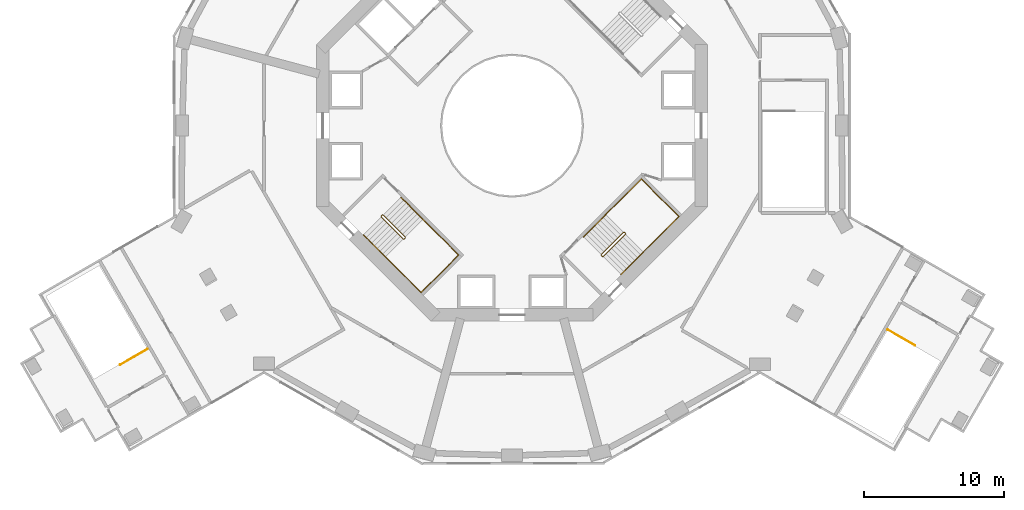
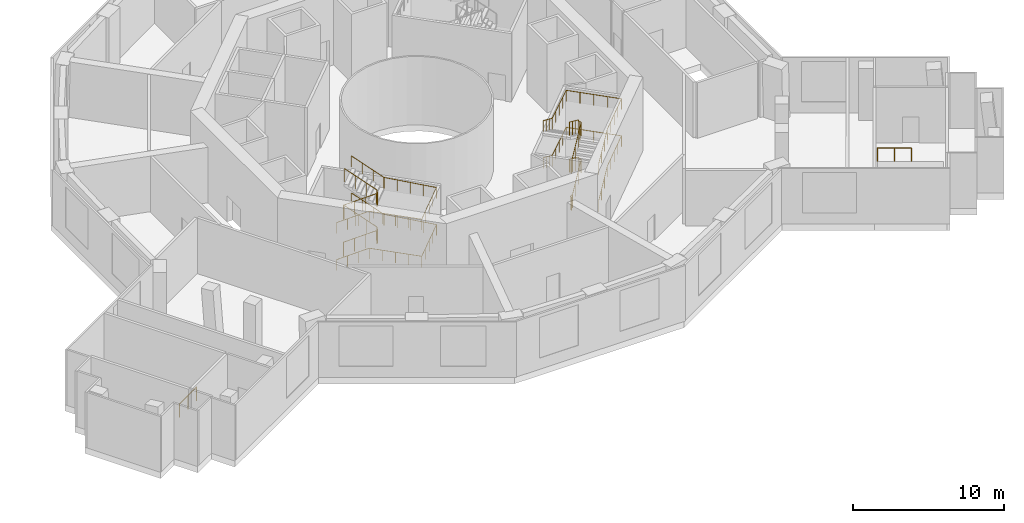
# One storey, part 11 of 12: 8 railings.
"""IFC4 building model written with IfcOpenShell, lengths in metres."""

from ifc_helpers import new_model, si_unit, direction, frame, origin, origin_2d, place, context, subcontext, project, spatial, circle, extrude, material, type_object, element, save


model = new_model("IFC4")

# Units and contexts
model_context = context("Model", 3, precision=1e-05, world=origin(), true_north=direction((0.0, 1.0)))
body_context = subcontext(model_context, "Body", "Model", "MODEL_VIEW")
ifc_project = project(units=[si_unit("LENGTHUNIT", "METRE"), si_unit("AREAUNIT", "SQUARE_METRE"), si_unit("VOLUMEUNIT", "CUBIC_METRE"), si_unit("PLANEANGLEUNIT", "RADIAN"), si_unit("MASSUNIT", "GRAM", prefix="KILO")], contexts=[model_context])

# Site, building, storey
site_placement = place(None, origin())
site = spatial("IfcSite", under=ifc_project, at=site_placement, CompositionType="ELEMENT")
building_placement = place(site_placement, origin())
building = spatial("IfcBuilding", under=site, at=building_placement, Name="Verdalira Terraces Hotel", CompositionType="ELEMENT")
storey_placement = place(building_placement, frame((0.0, 0.0, 28.0)))
storey = spatial("IfcBuildingStorey", under=building, at=storey_placement, Name="L05", CompositionType="ELEMENT", Elevation=28.0)

# Railings
ifc_material_1 = material(Name="Stainless steel", Category="steel")
railing_type_1 = type_object("IfcRailingType", Name="Stair guard 1100", PredefinedType="GUARDRAIL", material=ifc_material_1)
railing_1_placement = place(storey_placement, frame((-9.369141, -6.469971, 0.0)))
element("IfcRailing", 1, at=railing_1_placement, inside=storey, type_object=railing_type_1, Name="L05 ST2 stair guard 1", PredefinedType="GUARDRAIL", context=body_context, shape_type="SweptSolid", body=[
    extrude(circle(Radius=0.023926, at=origin_2d()), frame((0.0, 0.0, 1.076172), z_axis=(0.70832698, 0.705884473, 0.0), x_axis=(-0.705884473, 0.70832698, 0.0)), (0.0, 0.0, 1.0), 0.099854),
    extrude(circle(Radius=0.023926, at=origin_2d()), frame((0.070801, 0.070557, 1.076172), z_axis=(-0.308122069, -0.615181649, 0.725680598), x_axis=(0.894118129, -0.447831187, 0.0)), (0.0, 0.0, 1.0), 0.229736),
    extrude(circle(Radius=0.023926, at=origin_2d()), frame((0.0, -0.070801, 1.242676), z_axis=(0.607628069, -0.607628069, 0.511445266), x_axis=(0.707106781, 0.707106781, 0.0)), (0.0, 0.0, 1.0), 2.606934),
    extrude(circle(Radius=0.023926, at=origin_2d()), frame((1.583984, -1.654785, 2.576172), z_axis=(1.0, 0.0, 0.0), x_axis=(0.0, 1.0, 0.0)), (0.0, 0.0, 1.0), 0.070557),
    extrude(circle(Radius=0.023926, at=origin_2d()), frame((1.654541, -1.654785, 2.576172), z_axis=(0.707106781, 0.707106781, 0.0), x_axis=(-0.707106781, 0.707106781, 0.0)), (0.0, 0.0, 1.0), 0.100098),
    extrude(circle(Radius=0.023926, at=origin_2d()), frame((1.725342, -1.583984, 2.576172), z_axis=(0.0, 0.390826706, 0.920464277), x_axis=(-1.0, 0.0, 0.0)), (0.0, 0.0, 1.0), 0.181152),
    extrude(circle(Radius=0.023926, at=origin_2d()), frame((1.725342, -1.513184, 2.742676), z_axis=(-0.607662647, 0.607568988, 0.511474371), x_axis=(-0.707052281, -0.707161277, 0.0)), (0.0, 0.0, 1.0), 2.606689),
    extrude(circle(Radius=0.023926, at=origin_2d()), frame((0.141357, 0.070557, 4.076172), z_axis=(-1.0, 0.0, 0.0), x_axis=(0.0, -1.0, 0.0)), (0.0, 0.0, 1.0), 0.070557),
    extrude(circle(Radius=0.023926, at=origin_2d()), frame((0.070801, 0.070557, 4.076172), z_axis=(-0.70832698, -0.705884473, 0.0), x_axis=(0.705884473, -0.70832698, 0.0)), (0.0, 0.0, 1.0), 0.099854),
    extrude(circle(Radius=0.023926, at=origin_2d()), frame((0.0, 0.0, 4.076172), z_axis=(0.0, -0.390826706, 0.920464277), x_axis=(1.0, 0.0, 0.0)), (0.0, 0.0, 1.0), 0.181152),
    extrude(circle(Radius=0.023926, at=origin_2d()), frame((0.0, -0.070801, 4.242676), z_axis=(0.607628069, -0.607628069, 0.511445266), x_axis=(0.707106781, 0.707106781, 0.0)), (0.0, 0.0, 1.0), 2.606934),
    extrude(circle(Radius=0.023926, at=origin_2d()), frame((1.583984, -1.654785, 5.576172), z_axis=(1.0, 0.0, 0.0), x_axis=(0.0, 1.0, 0.0)), (0.0, 0.0, 1.0), 0.070557),
    extrude(circle(Radius=0.023926, at=origin_2d()), frame((1.654541, -1.654785, 5.576172), z_axis=(0.707106781, 0.707106781, 0.0), x_axis=(-0.707106781, 0.707106781, 0.0)), (0.0, 0.0, 1.0), 0.100098),
    extrude(circle(Radius=0.023926, at=origin_2d()), frame((1.725342, -1.583984, 5.576172), z_axis=(0.0, 0.390826706, 0.920464277), x_axis=(-1.0, 0.0, 0.0)), (0.0, 0.0, 1.0), 0.181152),
    extrude(circle(Radius=0.023926, at=origin_2d()), frame((1.725342, -1.513184, 5.742676), z_axis=(-0.607662647, 0.607568988, 0.511474371), x_axis=(-0.707052281, -0.707161277, 0.0)), (0.0, 0.0, 1.0), 2.606689),
    extrude(circle(Radius=0.020996, at=origin_2d()), origin(), (0.0, 0.0, 1.0), 1.052002),
    extrude(circle(Radius=0.020996, at=origin_2d()), frame((0.070801, 0.070557, 0.0)), (0.0, 0.0, 1.0), 1.052002),
    extrude(circle(Radius=0.020996, at=origin_2d()), frame((0.0, -0.070801, 0.166748)), (0.0, 0.0, 1.0), 1.052002),
    extrude(circle(Radius=0.020996, at=origin_2d()), frame((0.528076, -0.598877, 0.611084)), (0.0, 0.0, 1.0), 1.052002),
    extrude(circle(Radius=0.020996, at=origin_2d()), frame((1.055908, -1.126709, 1.055664)), (0.0, 0.0, 1.0), 1.052002),
    extrude(circle(Radius=0.020996, at=origin_2d()), frame((1.583984, -1.654785, 1.5)), (0.0, 0.0, 1.0), 1.052002),
    extrude(circle(Radius=0.020996, at=origin_2d()), frame((1.654541, -1.654785, 1.5)), (0.0, 0.0, 1.0), 1.052002),
    extrude(circle(Radius=0.020996, at=origin_2d()), frame((1.725342, -1.583984, 1.5)), (0.0, 0.0, 1.0), 1.052002),
    extrude(circle(Radius=0.020996, at=origin_2d()), frame((1.725342, -1.513184, 1.666748)), (0.0, 0.0, 1.0), 1.052002),
    extrude(circle(Radius=0.020996, at=origin_2d()), frame((1.197266, -0.985352, 2.111084)), (0.0, 0.0, 1.0), 1.052002),
    extrude(circle(Radius=0.020996, at=origin_2d()), frame((0.669434, -0.457275, 2.555664)), (0.0, 0.0, 1.0), 1.052002),
    extrude(circle(Radius=0.020996, at=origin_2d()), frame((0.141357, 0.070557, 3.0)), (0.0, 0.0, 1.0), 1.052002),
    extrude(circle(Radius=0.020996, at=origin_2d()), frame((0.070801, 0.070557, 3.0)), (0.0, 0.0, 1.0), 1.052002),
    extrude(circle(Radius=0.020996, at=origin_2d()), frame((0.0, 0.0, 3.0)), (0.0, 0.0, 1.0), 1.052002),
    extrude(circle(Radius=0.020996, at=origin_2d()), frame((0.0, -0.070801, 3.166748)), (0.0, 0.0, 1.0), 1.052002),
    extrude(circle(Radius=0.020996, at=origin_2d()), frame((0.528076, -0.598877, 3.611084)), (0.0, 0.0, 1.0), 1.052002),
    extrude(circle(Radius=0.020996, at=origin_2d()), frame((1.055908, -1.126709, 4.055664)), (0.0, 0.0, 1.0), 1.052002),
    extrude(circle(Radius=0.020996, at=origin_2d()), frame((1.583984, -1.654785, 4.5)), (0.0, 0.0, 1.0), 1.052002),
    extrude(circle(Radius=0.020996, at=origin_2d()), frame((1.654541, -1.654785, 4.5)), (0.0, 0.0, 1.0), 1.052002),
    extrude(circle(Radius=0.020996, at=origin_2d()), frame((1.725342, -1.583984, 4.5)), (0.0, 0.0, 1.0), 1.052002),
    extrude(circle(Radius=0.020996, at=origin_2d()), frame((1.725342, -1.513184, 4.666748)), (0.0, 0.0, 1.0), 1.052002),
    extrude(circle(Radius=0.020996, at=origin_2d()), frame((1.197266, -0.985352, 5.111084)), (0.0, 0.0, 1.0), 1.052002),
    extrude(circle(Radius=0.020996, at=origin_2d()), frame((0.669434, -0.457275, 5.555664)), (0.0, 0.0, 1.0), 1.052002),
    extrude(circle(Radius=0.020996, at=origin_2d()), frame((0.141357, 0.070557, 6.0)), (0.0, 0.0, 1.0), 1.052002),
])
railing_2_placement = place(storey_placement, frame((6.469971, -9.369141, 0.0)))
element("IfcRailing", 2, at=railing_2_placement, inside=storey, type_object=railing_type_1, Name="L05 ST3 stair guard 1", PredefinedType="GUARDRAIL", context=body_context, shape_type="SweptSolid", body=[
    extrude(circle(Radius=0.023926, at=origin_2d()), frame((0.0, 0.0, 1.076172), z_axis=(-0.705884473, 0.70832698, 0.0), x_axis=(-0.70832698, -0.705884473, 0.0)), (0.0, 0.0, 1.0), 0.099854),
    extrude(circle(Radius=0.023926, at=origin_2d()), frame((-0.070557, 0.070801, 1.076172), z_axis=(0.615181649, -0.308122069, 0.725680598), x_axis=(0.447831187, 0.894118129, 0.0)), (0.0, 0.0, 1.0), 0.229736),
    extrude(circle(Radius=0.023926, at=origin_2d()), frame((0.070801, 0.0, 1.242676), z_axis=(0.607628069, 0.607628069, 0.511445266), x_axis=(-0.707106781, 0.707106781, 0.0)), (0.0, 0.0, 1.0), 2.606934),
    extrude(circle(Radius=0.023926, at=origin_2d()), frame((1.654785, 1.583984, 2.576172), z_axis=(0.0, 1.0, 0.0), x_axis=(-1.0, 0.0, 0.0)), (0.0, 0.0, 1.0), 0.070557),
    extrude(circle(Radius=0.023926, at=origin_2d()), frame((1.654785, 1.654541, 2.576172), z_axis=(-0.707106781, 0.707106781, 0.0), x_axis=(-0.707106781, -0.707106781, 0.0)), (0.0, 0.0, 1.0), 0.100098),
    extrude(circle(Radius=0.023926, at=origin_2d()), frame((1.583984, 1.725342, 2.576172), z_axis=(-0.390826706, 0.0, 0.920464277), x_axis=(0.0, -1.0, 0.0)), (0.0, 0.0, 1.0), 0.181152),
    extrude(circle(Radius=0.023926, at=origin_2d()), frame((1.513184, 1.725342, 2.742676), z_axis=(-0.607568988, -0.607662647, 0.511474371), x_axis=(0.707161277, -0.707052281, 0.0)), (0.0, 0.0, 1.0), 2.606689),
    extrude(circle(Radius=0.023926, at=origin_2d()), frame((-0.070557, 0.141357, 4.076172), z_axis=(0.0, -1.0, 0.0), x_axis=(1.0, 0.0, 0.0)), (0.0, 0.0, 1.0), 0.070557),
    extrude(circle(Radius=0.023926, at=origin_2d()), frame((-0.070557, 0.070801, 4.076172), z_axis=(0.705884473, -0.70832698, 0.0), x_axis=(0.70832698, 0.705884473, 0.0)), (0.0, 0.0, 1.0), 0.099854),
    extrude(circle(Radius=0.023926, at=origin_2d()), frame((0.0, 0.0, 4.076172), z_axis=(0.390826706, 0.0, 0.920464277), x_axis=(0.0, 1.0, 0.0)), (0.0, 0.0, 1.0), 0.181152),
    extrude(circle(Radius=0.023926, at=origin_2d()), frame((0.070801, 0.0, 4.242676), z_axis=(0.607628069, 0.607628069, 0.511445266), x_axis=(-0.707106781, 0.707106781, 0.0)), (0.0, 0.0, 1.0), 2.606934),
    extrude(circle(Radius=0.023926, at=origin_2d()), frame((1.654785, 1.583984, 5.576172), z_axis=(0.0, 1.0, 0.0), x_axis=(-1.0, 0.0, 0.0)), (0.0, 0.0, 1.0), 0.070557),
    extrude(circle(Radius=0.023926, at=origin_2d()), frame((1.654785, 1.654541, 5.576172), z_axis=(-0.707106781, 0.707106781, 0.0), x_axis=(-0.707106781, -0.707106781, 0.0)), (0.0, 0.0, 1.0), 0.100098),
    extrude(circle(Radius=0.023926, at=origin_2d()), frame((1.583984, 1.725342, 5.576172), z_axis=(-0.390826706, 0.0, 0.920464277), x_axis=(0.0, -1.0, 0.0)), (0.0, 0.0, 1.0), 0.181152),
    extrude(circle(Radius=0.023926, at=origin_2d()), frame((1.513184, 1.725342, 5.742676), z_axis=(-0.607568988, -0.607662647, 0.511474371), x_axis=(0.707161277, -0.707052281, 0.0)), (0.0, 0.0, 1.0), 2.606689),
    extrude(circle(Radius=0.020996, at=origin_2d()), origin(), (0.0, 0.0, 1.0), 1.052002),
    extrude(circle(Radius=0.020996, at=origin_2d()), frame((-0.070557, 0.070801, 0.0)), (0.0, 0.0, 1.0), 1.052002),
    extrude(circle(Radius=0.020996, at=origin_2d()), frame((0.070801, 0.0, 0.166748)), (0.0, 0.0, 1.0), 1.052002),
    extrude(circle(Radius=0.020996, at=origin_2d()), frame((0.598877, 0.528076, 0.611084)), (0.0, 0.0, 1.0), 1.052002),
    extrude(circle(Radius=0.020996, at=origin_2d()), frame((1.126709, 1.055908, 1.055664)), (0.0, 0.0, 1.0), 1.052002),
    extrude(circle(Radius=0.020996, at=origin_2d()), frame((1.654785, 1.583984, 1.5)), (0.0, 0.0, 1.0), 1.052002),
    extrude(circle(Radius=0.020996, at=origin_2d()), frame((1.654785, 1.654541, 1.5)), (0.0, 0.0, 1.0), 1.052002),
    extrude(circle(Radius=0.020996, at=origin_2d()), frame((1.583984, 1.725342, 1.5)), (0.0, 0.0, 1.0), 1.052002),
    extrude(circle(Radius=0.020996, at=origin_2d()), frame((1.513184, 1.725342, 1.666748)), (0.0, 0.0, 1.0), 1.052002),
    extrude(circle(Radius=0.020996, at=origin_2d()), frame((0.985352, 1.197266, 2.111084)), (0.0, 0.0, 1.0), 1.052002),
    extrude(circle(Radius=0.020996, at=origin_2d()), frame((0.457275, 0.669434, 2.555664)), (0.0, 0.0, 1.0), 1.052002),
    extrude(circle(Radius=0.020996, at=origin_2d()), frame((-0.070557, 0.141357, 3.0)), (0.0, 0.0, 1.0), 1.052002),
    extrude(circle(Radius=0.020996, at=origin_2d()), frame((-0.070557, 0.070801, 3.0)), (0.0, 0.0, 1.0), 1.052002),
    extrude(circle(Radius=0.020996, at=origin_2d()), frame((0.0, 0.0, 3.0)), (0.0, 0.0, 1.0), 1.052002),
    extrude(circle(Radius=0.020996, at=origin_2d()), frame((0.070801, 0.0, 3.166748)), (0.0, 0.0, 1.0), 1.052002),
    extrude(circle(Radius=0.020996, at=origin_2d()), frame((0.598877, 0.528076, 3.611084)), (0.0, 0.0, 1.0), 1.052002),
    extrude(circle(Radius=0.020996, at=origin_2d()), frame((1.126709, 1.055908, 4.055664)), (0.0, 0.0, 1.0), 1.052002),
    extrude(circle(Radius=0.020996, at=origin_2d()), frame((1.654785, 1.583984, 4.5)), (0.0, 0.0, 1.0), 1.052002),
    extrude(circle(Radius=0.020996, at=origin_2d()), frame((1.654785, 1.654541, 4.5)), (0.0, 0.0, 1.0), 1.052002),
    extrude(circle(Radius=0.020996, at=origin_2d()), frame((1.583984, 1.725342, 4.5)), (0.0, 0.0, 1.0), 1.052002),
    extrude(circle(Radius=0.020996, at=origin_2d()), frame((1.513184, 1.725342, 4.666748)), (0.0, 0.0, 1.0), 1.052002),
    extrude(circle(Radius=0.020996, at=origin_2d()), frame((0.985352, 1.197266, 5.111084)), (0.0, 0.0, 1.0), 1.052002),
    extrude(circle(Radius=0.020996, at=origin_2d()), frame((0.457275, 0.669434, 5.555664)), (0.0, 0.0, 1.0), 1.052002),
    extrude(circle(Radius=0.020996, at=origin_2d()), frame((-0.070557, 0.141357, 6.0)), (0.0, 0.0, 1.0), 1.052002),
])
railing_3_placement = place(storey_placement, frame((-26.100342, -15.99292, 0.0)))
element("IfcRailing", 3, at=railing_3_placement, inside=storey, type_object=railing_type_1, Name="L05 PS2 top well guard 1", PredefinedType="GUARDRAIL", context=body_context, shape_type="SweptSolid", body=[
    extrude(circle(Radius=0.023926, at=origin_2d()), frame((0.0, 0.0, 1.076172), z_axis=(-0.866017533, -0.500013632, 0.0), x_axis=(0.500013632, -0.866017533, 0.0)), (0.0, 0.0, 1.0), 2.25),
    extrude(circle(Radius=0.020996, at=origin_2d()), origin(), (0.0, 0.0, 1.0), 1.052002),
    extrude(circle(Radius=0.020996, at=origin_2d()), frame((-0.974121, -0.5625, 0.0)), (0.0, 0.0, 1.0), 1.052002),
    extrude(circle(Radius=0.020996, at=origin_2d()), frame((-1.948486, -1.125, 0.0)), (0.0, 0.0, 1.0), 1.052002),
])
railing_4_placement = place(storey_placement, frame((26.900391, -14.607178, 0.0)))
element("IfcRailing", 4, at=railing_4_placement, inside=storey, type_object=railing_type_1, Name="L05 PS3 top well guard 1", PredefinedType="GUARDRAIL", context=body_context, shape_type="SweptSolid", body=[
    extrude(circle(Radius=0.023926, at=origin_2d()), frame((0.0, 0.0, 1.076172), z_axis=(0.866017533, -0.500013632, 0.0), x_axis=(0.500013632, 0.866017533, 0.0)), (0.0, 0.0, 1.0), 2.25),
    extrude(circle(Radius=0.020996, at=origin_2d()), origin(), (0.0, 0.0, 1.0), 1.052002),
    extrude(circle(Radius=0.020996, at=origin_2d()), frame((0.974121, -0.5625, 0.0)), (0.0, 0.0, 1.0), 1.052002),
    extrude(circle(Radius=0.020996, at=origin_2d()), frame((1.948486, -1.125, 0.0)), (0.0, 0.0, 1.0), 1.052002),
])
ifc_material_2 = material(Name="Stainless steel", Category="steel")
railing_type_2 = type_object("IfcRailingType", Name="Stair handrail 900", PredefinedType="HANDRAIL", material=ifc_material_2)
railing_5_placement = place(storey_placement, frame((-10.641846, -7.813477, 0.166748)))
element("IfcRailing", 5, at=railing_5_placement, inside=storey, type_object=railing_type_2, Name="L05 ST2 stair handrail 1", PredefinedType="HANDRAIL", context=body_context, shape_type="SweptSolid", body=[
    extrude(circle(Radius=0.023926, at=origin_2d()), frame((0.0, 0.0, 0.875977), z_axis=(0.607568988, -0.607662647, 0.511474371), x_axis=(0.707161277, 0.707052281, 0.0)), (0.0, 0.0, 1.0), 2.606689),
    extrude(circle(Radius=0.023926, at=origin_2d()), frame((1.58374, -1.583984, 2.208984), z_axis=(0.707106781, -0.707106781, 0.0), x_axis=(0.707106781, 0.707106781, 0.0)), (0.0, 0.0, 1.0), 3.610107),
    extrude(circle(Radius=0.023926, at=origin_2d()), frame((4.136475, -4.136719, 2.208984), z_axis=(0.707106781, 0.707106781, 0.0), x_axis=(-0.707106781, 0.707106781, 0.0)), (0.0, 0.0, 1.0), 3.800049),
    extrude(circle(Radius=0.023926, at=origin_2d()), frame((6.823486, -1.449707, 2.208984), z_axis=(-0.706353701, 0.706353701, 0.046139975), x_axis=(-0.707106781, -0.707106781, 0.0)), (0.0, 0.0, 1.0), 3.614014),
    extrude(circle(Radius=0.023926, at=origin_2d()), frame((4.270752, 1.103027, 2.375977), z_axis=(-0.607568988, 0.607662647, 0.511474371), x_axis=(-0.707161277, -0.707052281, 0.0)), (0.0, 0.0, 1.0), 2.606689),
    extrude(circle(Radius=0.020996, at=origin_2d()), origin(), (0.0, 0.0, 1.0), 0.851807),
    extrude(circle(Radius=0.020996, at=origin_2d()), frame((0.527832, -0.528076, 0.444336)), (0.0, 0.0, 1.0), 0.851807),
    extrude(circle(Radius=0.020996, at=origin_2d()), frame((1.055908, -1.055908, 0.888916)), (0.0, 0.0, 1.0), 0.851807),
    extrude(circle(Radius=0.020996, at=origin_2d()), frame((1.58374, -1.583984, 1.333252)), (0.0, 0.0, 1.0), 0.851807),
    extrude(circle(Radius=0.020996, at=origin_2d()), frame((2.221924, -2.222168, 1.333252)), (0.0, 0.0, 1.0), 0.851807),
    extrude(circle(Radius=0.020996, at=origin_2d()), frame((2.860107, -2.860352, 1.333252)), (0.0, 0.0, 1.0), 0.851807),
    extrude(circle(Radius=0.020996, at=origin_2d()), frame((3.498291, -3.498535, 1.333252)), (0.0, 0.0, 1.0), 0.851807),
    extrude(circle(Radius=0.020996, at=origin_2d()), frame((4.136475, -4.136719, 1.333252)), (0.0, 0.0, 1.0), 0.851807),
    extrude(circle(Radius=0.020996, at=origin_2d()), frame((4.808105, -3.464844, 1.333252)), (0.0, 0.0, 1.0), 0.851807),
    extrude(circle(Radius=0.020996, at=origin_2d()), frame((5.47998, -2.793213, 1.333252)), (0.0, 0.0, 1.0), 0.851807),
    extrude(circle(Radius=0.020996, at=origin_2d()), frame((6.151855, -2.121582, 1.333252)), (0.0, 0.0, 1.0), 0.851807),
    extrude(circle(Radius=0.020996, at=origin_2d()), frame((6.823486, -1.449707, 1.333252)), (0.0, 0.0, 1.0), 0.851807),
    extrude(circle(Radius=0.020996, at=origin_2d()), frame((6.185303, -0.811523, 1.375)), (0.0, 0.0, 1.0), 0.851807),
    extrude(circle(Radius=0.020996, at=origin_2d()), frame((5.547119, -0.17334, 1.416504)), (0.0, 0.0, 1.0), 0.851807),
    extrude(circle(Radius=0.020996, at=origin_2d()), frame((4.908936, 0.464844, 1.458252)), (0.0, 0.0, 1.0), 0.851807),
    extrude(circle(Radius=0.020996, at=origin_2d()), frame((4.270752, 1.103027, 1.5)), (0.0, 0.0, 1.0), 0.851807),
    extrude(circle(Radius=0.020996, at=origin_2d()), frame((3.74292, 1.631104, 1.944336)), (0.0, 0.0, 1.0), 0.851807),
    extrude(circle(Radius=0.020996, at=origin_2d()), frame((3.214844, 2.158936, 2.388916)), (0.0, 0.0, 1.0), 0.851807),
    extrude(circle(Radius=0.020996, at=origin_2d()), frame((2.687012, 2.687012, 2.833252)), (0.0, 0.0, 1.0), 0.851807),
])
railing_6_placement = place(storey_placement, frame((-10.641846, -7.813477, 3.166748)))
element("IfcRailing", 6, at=railing_6_placement, inside=storey, type_object=railing_type_2, Name="L05 ST2 stair handrail 2", PredefinedType="HANDRAIL", context=body_context, shape_type="SweptSolid", body=[
    extrude(circle(Radius=0.023926, at=origin_2d()), frame((0.0, 0.0, 0.875977), z_axis=(0.607568988, -0.607662647, 0.511474371), x_axis=(0.707161277, 0.707052281, 0.0)), (0.0, 0.0, 1.0), 2.606689),
    extrude(circle(Radius=0.023926, at=origin_2d()), frame((1.58374, -1.583984, 2.208984), z_axis=(0.707106781, -0.707106781, 0.0), x_axis=(0.707106781, 0.707106781, 0.0)), (0.0, 0.0, 1.0), 3.610107),
    extrude(circle(Radius=0.023926, at=origin_2d()), frame((4.136475, -4.136719, 2.208984), z_axis=(0.707106781, 0.707106781, 0.0), x_axis=(-0.707106781, 0.707106781, 0.0)), (0.0, 0.0, 1.0), 3.800049),
    extrude(circle(Radius=0.023926, at=origin_2d()), frame((6.823486, -1.449707, 2.208984), z_axis=(-0.706353701, 0.706353701, 0.046139975), x_axis=(-0.707106781, -0.707106781, 0.0)), (0.0, 0.0, 1.0), 3.614014),
    extrude(circle(Radius=0.023926, at=origin_2d()), frame((4.270752, 1.103027, 2.375977), z_axis=(-0.607568988, 0.607662647, 0.511474371), x_axis=(-0.707161277, -0.707052281, 0.0)), (0.0, 0.0, 1.0), 2.606689),
    extrude(circle(Radius=0.020996, at=origin_2d()), origin(), (0.0, 0.0, 1.0), 0.851807),
    extrude(circle(Radius=0.020996, at=origin_2d()), frame((0.527832, -0.528076, 0.444336)), (0.0, 0.0, 1.0), 0.851807),
    extrude(circle(Radius=0.020996, at=origin_2d()), frame((1.055908, -1.055908, 0.888916)), (0.0, 0.0, 1.0), 0.851807),
    extrude(circle(Radius=0.020996, at=origin_2d()), frame((1.58374, -1.583984, 1.333252)), (0.0, 0.0, 1.0), 0.851807),
    extrude(circle(Radius=0.020996, at=origin_2d()), frame((2.221924, -2.222168, 1.333252)), (0.0, 0.0, 1.0), 0.851807),
    extrude(circle(Radius=0.020996, at=origin_2d()), frame((2.860107, -2.860352, 1.333252)), (0.0, 0.0, 1.0), 0.851807),
    extrude(circle(Radius=0.020996, at=origin_2d()), frame((3.498291, -3.498535, 1.333252)), (0.0, 0.0, 1.0), 0.851807),
    extrude(circle(Radius=0.020996, at=origin_2d()), frame((4.136475, -4.136719, 1.333252)), (0.0, 0.0, 1.0), 0.851807),
    extrude(circle(Radius=0.020996, at=origin_2d()), frame((4.808105, -3.464844, 1.333252)), (0.0, 0.0, 1.0), 0.851807),
    extrude(circle(Radius=0.020996, at=origin_2d()), frame((5.47998, -2.793213, 1.333252)), (0.0, 0.0, 1.0), 0.851807),
    extrude(circle(Radius=0.020996, at=origin_2d()), frame((6.151855, -2.121582, 1.333252)), (0.0, 0.0, 1.0), 0.851807),
    extrude(circle(Radius=0.020996, at=origin_2d()), frame((6.823486, -1.449707, 1.333252)), (0.0, 0.0, 1.0), 0.851807),
    extrude(circle(Radius=0.020996, at=origin_2d()), frame((6.185303, -0.811523, 1.375)), (0.0, 0.0, 1.0), 0.851807),
    extrude(circle(Radius=0.020996, at=origin_2d()), frame((5.547119, -0.17334, 1.416504)), (0.0, 0.0, 1.0), 0.851807),
    extrude(circle(Radius=0.020996, at=origin_2d()), frame((4.908936, 0.464844, 1.458252)), (0.0, 0.0, 1.0), 0.851807),
    extrude(circle(Radius=0.020996, at=origin_2d()), frame((4.270752, 1.103027, 1.5)), (0.0, 0.0, 1.0), 0.851807),
    extrude(circle(Radius=0.020996, at=origin_2d()), frame((3.74292, 1.631104, 1.944336)), (0.0, 0.0, 1.0), 0.851807),
    extrude(circle(Radius=0.020996, at=origin_2d()), frame((3.214844, 2.158936, 2.388916)), (0.0, 0.0, 1.0), 0.851807),
    extrude(circle(Radius=0.020996, at=origin_2d()), frame((2.687012, 2.687012, 2.833252)), (0.0, 0.0, 1.0), 0.851807),
])
railing_7_placement = place(storey_placement, frame((7.813477, -10.641846, 0.166748)))
element("IfcRailing", 7, at=railing_7_placement, inside=storey, type_object=railing_type_2, Name="L05 ST3 stair handrail 1", PredefinedType="HANDRAIL", context=body_context, shape_type="SweptSolid", body=[
    extrude(circle(Radius=0.023926, at=origin_2d()), frame((0.0, 0.0, 0.875977), z_axis=(0.607662647, 0.607568988, 0.511474371), x_axis=(-0.707052281, 0.707161277, 0.0)), (0.0, 0.0, 1.0), 2.606689),
    extrude(circle(Radius=0.023926, at=origin_2d()), frame((1.583984, 1.58374, 2.208984), z_axis=(0.707106781, 0.707106781, 0.0), x_axis=(-0.707106781, 0.707106781, 0.0)), (0.0, 0.0, 1.0), 3.610107),
    extrude(circle(Radius=0.023926, at=origin_2d()), frame((4.136719, 4.136475, 2.208984), z_axis=(-0.707106781, 0.707106781, 0.0), x_axis=(-0.707106781, -0.707106781, 0.0)), (0.0, 0.0, 1.0), 3.800049),
    extrude(circle(Radius=0.023926, at=origin_2d()), frame((1.449707, 6.823486, 2.208984), z_axis=(-0.706353701, -0.706353701, 0.046139975), x_axis=(0.707106781, -0.707106781, 0.0)), (0.0, 0.0, 1.0), 3.614014),
    extrude(circle(Radius=0.023926, at=origin_2d()), frame((-1.103027, 4.270752, 2.375977), z_axis=(-0.607662647, -0.607568988, 0.511474371), x_axis=(0.707052281, -0.707161277, 0.0)), (0.0, 0.0, 1.0), 2.606689),
    extrude(circle(Radius=0.020996, at=origin_2d()), origin(), (0.0, 0.0, 1.0), 0.851807),
    extrude(circle(Radius=0.020996, at=origin_2d()), frame((0.528076, 0.527832, 0.444336)), (0.0, 0.0, 1.0), 0.851807),
    extrude(circle(Radius=0.020996, at=origin_2d()), frame((1.055908, 1.055908, 0.888916)), (0.0, 0.0, 1.0), 0.851807),
    extrude(circle(Radius=0.020996, at=origin_2d()), frame((1.583984, 1.58374, 1.333252)), (0.0, 0.0, 1.0), 0.851807),
    extrude(circle(Radius=0.020996, at=origin_2d()), frame((2.222168, 2.221924, 1.333252)), (0.0, 0.0, 1.0), 0.851807),
    extrude(circle(Radius=0.020996, at=origin_2d()), frame((2.860352, 2.860107, 1.333252)), (0.0, 0.0, 1.0), 0.851807),
    extrude(circle(Radius=0.020996, at=origin_2d()), frame((3.498535, 3.498291, 1.333252)), (0.0, 0.0, 1.0), 0.851807),
    extrude(circle(Radius=0.020996, at=origin_2d()), frame((4.136719, 4.136475, 1.333252)), (0.0, 0.0, 1.0), 0.851807),
    extrude(circle(Radius=0.020996, at=origin_2d()), frame((3.464844, 4.808105, 1.333252)), (0.0, 0.0, 1.0), 0.851807),
    extrude(circle(Radius=0.020996, at=origin_2d()), frame((2.793213, 5.47998, 1.333252)), (0.0, 0.0, 1.0), 0.851807),
    extrude(circle(Radius=0.020996, at=origin_2d()), frame((2.121582, 6.151855, 1.333252)), (0.0, 0.0, 1.0), 0.851807),
    extrude(circle(Radius=0.020996, at=origin_2d()), frame((1.449707, 6.823486, 1.333252)), (0.0, 0.0, 1.0), 0.851807),
    extrude(circle(Radius=0.020996, at=origin_2d()), frame((0.811523, 6.185303, 1.375)), (0.0, 0.0, 1.0), 0.851807),
    extrude(circle(Radius=0.020996, at=origin_2d()), frame((0.17334, 5.547119, 1.416504)), (0.0, 0.0, 1.0), 0.851807),
    extrude(circle(Radius=0.020996, at=origin_2d()), frame((-0.464844, 4.908936, 1.458252)), (0.0, 0.0, 1.0), 0.851807),
    extrude(circle(Radius=0.020996, at=origin_2d()), frame((-1.103027, 4.270752, 1.5)), (0.0, 0.0, 1.0), 0.851807),
    extrude(circle(Radius=0.020996, at=origin_2d()), frame((-1.631104, 3.74292, 1.944336)), (0.0, 0.0, 1.0), 0.851807),
    extrude(circle(Radius=0.020996, at=origin_2d()), frame((-2.158936, 3.214844, 2.388916)), (0.0, 0.0, 1.0), 0.851807),
    extrude(circle(Radius=0.020996, at=origin_2d()), frame((-2.687012, 2.687012, 2.833252)), (0.0, 0.0, 1.0), 0.851807),
])
railing_8_placement = place(storey_placement, frame((7.813477, -10.641846, 3.166748)))
element("IfcRailing", 8, at=railing_8_placement, inside=storey, type_object=railing_type_2, Name="L05 ST3 stair handrail 2", PredefinedType="HANDRAIL", context=body_context, shape_type="SweptSolid", body=[
    extrude(circle(Radius=0.023926, at=origin_2d()), frame((0.0, 0.0, 0.875977), z_axis=(0.607662647, 0.607568988, 0.511474371), x_axis=(-0.707052281, 0.707161277, 0.0)), (0.0, 0.0, 1.0), 2.606689),
    extrude(circle(Radius=0.023926, at=origin_2d()), frame((1.583984, 1.58374, 2.208984), z_axis=(0.707106781, 0.707106781, 0.0), x_axis=(-0.707106781, 0.707106781, 0.0)), (0.0, 0.0, 1.0), 3.610107),
    extrude(circle(Radius=0.023926, at=origin_2d()), frame((4.136719, 4.136475, 2.208984), z_axis=(-0.707106781, 0.707106781, 0.0), x_axis=(-0.707106781, -0.707106781, 0.0)), (0.0, 0.0, 1.0), 3.800049),
    extrude(circle(Radius=0.023926, at=origin_2d()), frame((1.449707, 6.823486, 2.208984), z_axis=(-0.706353701, -0.706353701, 0.046139975), x_axis=(0.707106781, -0.707106781, 0.0)), (0.0, 0.0, 1.0), 3.614014),
    extrude(circle(Radius=0.023926, at=origin_2d()), frame((-1.103027, 4.270752, 2.375977), z_axis=(-0.607662647, -0.607568988, 0.511474371), x_axis=(0.707052281, -0.707161277, 0.0)), (0.0, 0.0, 1.0), 2.606689),
    extrude(circle(Radius=0.020996, at=origin_2d()), origin(), (0.0, 0.0, 1.0), 0.851807),
    extrude(circle(Radius=0.020996, at=origin_2d()), frame((0.528076, 0.527832, 0.444336)), (0.0, 0.0, 1.0), 0.851807),
    extrude(circle(Radius=0.020996, at=origin_2d()), frame((1.055908, 1.055908, 0.888916)), (0.0, 0.0, 1.0), 0.851807),
    extrude(circle(Radius=0.020996, at=origin_2d()), frame((1.583984, 1.58374, 1.333252)), (0.0, 0.0, 1.0), 0.851807),
    extrude(circle(Radius=0.020996, at=origin_2d()), frame((2.222168, 2.221924, 1.333252)), (0.0, 0.0, 1.0), 0.851807),
    extrude(circle(Radius=0.020996, at=origin_2d()), frame((2.860352, 2.860107, 1.333252)), (0.0, 0.0, 1.0), 0.851807),
    extrude(circle(Radius=0.020996, at=origin_2d()), frame((3.498535, 3.498291, 1.333252)), (0.0, 0.0, 1.0), 0.851807),
    extrude(circle(Radius=0.020996, at=origin_2d()), frame((4.136719, 4.136475, 1.333252)), (0.0, 0.0, 1.0), 0.851807),
    extrude(circle(Radius=0.020996, at=origin_2d()), frame((3.464844, 4.808105, 1.333252)), (0.0, 0.0, 1.0), 0.851807),
    extrude(circle(Radius=0.020996, at=origin_2d()), frame((2.793213, 5.47998, 1.333252)), (0.0, 0.0, 1.0), 0.851807),
    extrude(circle(Radius=0.020996, at=origin_2d()), frame((2.121582, 6.151855, 1.333252)), (0.0, 0.0, 1.0), 0.851807),
    extrude(circle(Radius=0.020996, at=origin_2d()), frame((1.449707, 6.823486, 1.333252)), (0.0, 0.0, 1.0), 0.851807),
    extrude(circle(Radius=0.020996, at=origin_2d()), frame((0.811523, 6.185303, 1.375)), (0.0, 0.0, 1.0), 0.851807),
    extrude(circle(Radius=0.020996, at=origin_2d()), frame((0.17334, 5.547119, 1.416504)), (0.0, 0.0, 1.0), 0.851807),
    extrude(circle(Radius=0.020996, at=origin_2d()), frame((-0.464844, 4.908936, 1.458252)), (0.0, 0.0, 1.0), 0.851807),
    extrude(circle(Radius=0.020996, at=origin_2d()), frame((-1.103027, 4.270752, 1.5)), (0.0, 0.0, 1.0), 0.851807),
    extrude(circle(Radius=0.020996, at=origin_2d()), frame((-1.631104, 3.74292, 1.944336)), (0.0, 0.0, 1.0), 0.851807),
    extrude(circle(Radius=0.020996, at=origin_2d()), frame((-2.158936, 3.214844, 2.388916)), (0.0, 0.0, 1.0), 0.851807),
    extrude(circle(Radius=0.020996, at=origin_2d()), frame((-2.687012, 2.687012, 2.833252)), (0.0, 0.0, 1.0), 0.851807),
])

save(model, "model.ifc")
